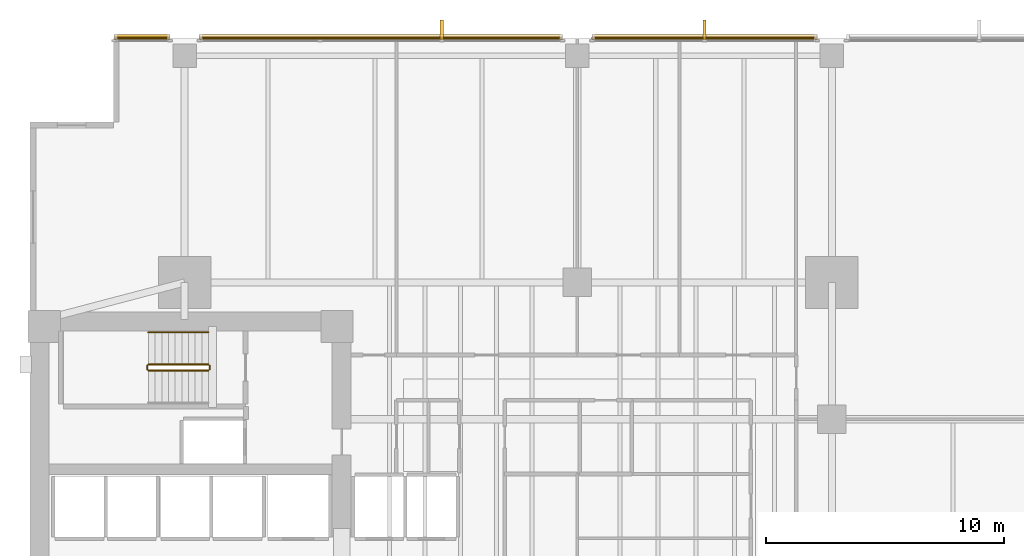
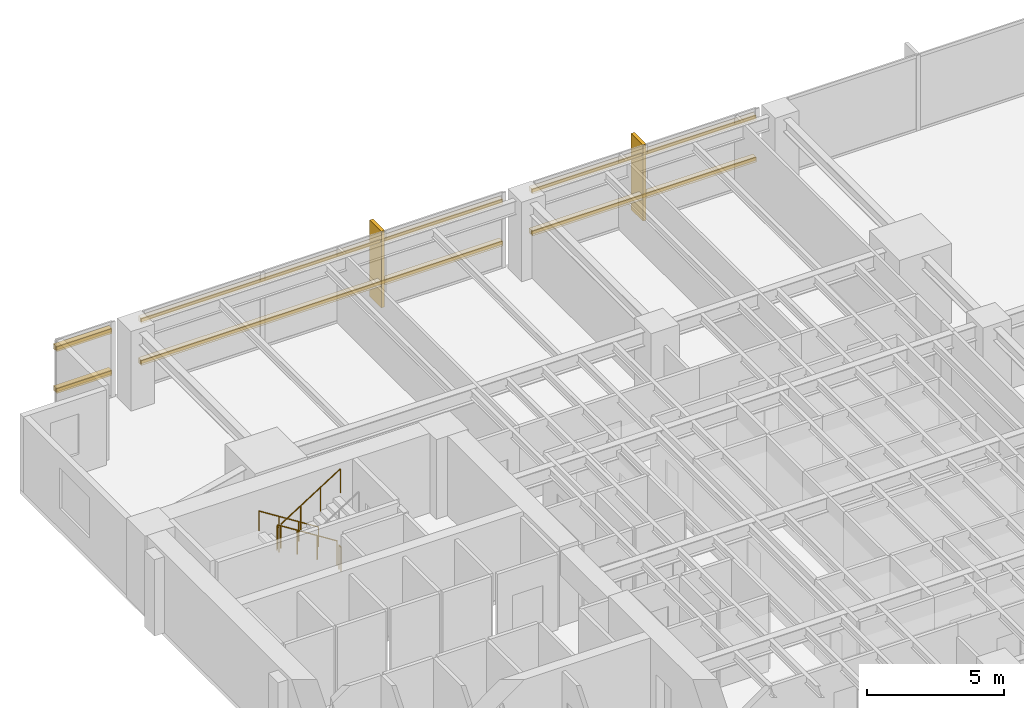
# One storey, part 14 of 15: 8 coverings, 6 shading devices, 5 railings.
"""IFC4 building model written with IfcOpenShell, lengths in metres."""

from ifc_helpers import new_model, si_unit, direction, frame, origin, origin_2d, place, context, subcontext, project, spatial, polyline, rectangle, circle, outline, extrude, material, layer, layer_set, material_profile, profile_set, type_object, element, save


model = new_model("IFC4")

# Units and contexts
model_context = context("Model", 3, precision=1e-05, world=origin(), true_north=direction((0.0, 1.0)))
body_context = subcontext(model_context, "Body", "Model", "MODEL_VIEW")
ifc_project = project(units=[si_unit("LENGTHUNIT", "METRE"), si_unit("AREAUNIT", "SQUARE_METRE"), si_unit("VOLUMEUNIT", "CUBIC_METRE"), si_unit("PLANEANGLEUNIT", "RADIAN"), si_unit("MASSUNIT", "GRAM", prefix="KILO")], contexts=[model_context])

# Site, building, storey
site_placement = place(None, origin())
site = spatial("IfcSite", under=ifc_project, at=site_placement, CompositionType="ELEMENT")
building_placement = place(site_placement, origin())
building = spatial("IfcBuilding", under=site, at=building_placement, Name="Kinhvarn Gate Tower", CompositionType="ELEMENT")
storey_placement = place(building_placement, frame((0.0, 0.0, 75.300048828125)))
storey = spatial("IfcBuildingStorey", under=building, at=storey_placement, Name="L19", CompositionType="ELEMENT", Elevation=75.300048828125)

# Coverings
ifc_material_1 = material(Name="Fired architectural terracotta", Category="masonry")
ifc_layer_1 = layer(ifc_material_1, 0.239990234375)
ifc_layer_set_1 = layer_set([ifc_layer_1], Name="Fired architectural terracotta")
covering_type_1 = type_object("IfcCoveringType", Name="COV-BAG-220", PredefinedType="CLADDING", material=ifc_layer_set_1)
for number, where, name in (
    (1, (0.0, 0.0, 0.93994140625), "Terracotta Horizontal Sunscreen Band TBG-220 (L19)"),
    (2, (0.0, 0.0, 2.81005859375), "Terracotta Horizontal Sunscreen Band TBG-220 (L19)"),
):
    element("IfcCovering", number, at=place(storey_placement, frame(where)), inside=storey, type_object=covering_type_1, Name=name, PredefinedType="CLADDING", context=body_context, shape_type="SweptSolid", body=[
        extrude(outline(polyline([(37.580078125, 47.93994140625), (28.1201171875, 47.93994140625), (28.1201171875, 48.179931640625), (37.580078125, 48.179931640625), (37.580078125, 47.93994140625)])), origin(), (0.0, 0.0, 1.0), 0.219970703125),
    ])
for number, where, name in (
    (3, (0.0, 0.0, 0.93994140625), "Terracotta Horizontal Sunscreen Band TBG-220 (L19)"),
    (4, (0.0, 0.0, 2.81005859375), "Terracotta Horizontal Sunscreen Band TBG-220 (L19)"),
):
    element("IfcCovering", number, at=place(storey_placement, frame(where)), inside=storey, type_object=covering_type_1, Name=name, PredefinedType="CLADDING", context=body_context, shape_type="SweptSolid", body=[
        extrude(outline(polyline([(26.8798828125, 47.93994140625), (11.6201171875, 47.93994140625), (11.6201171875, 48.179931640625), (26.8798828125, 48.179931640625), (26.8798828125, 47.93994140625)])), origin(), (0.0, 0.0, 1.0), 0.219970703125),
    ])
for number, where, name in (
    (5, (0.0, 0.0, 0.93994140625), "Terracotta Horizontal Sunscreen Band TBG-220 (L19)"),
    (6, (0.0, 0.0, 2.81005859375), "Terracotta Horizontal Sunscreen Band TBG-220 (L19)"),
):
    element("IfcCovering", number, at=place(storey_placement, frame(where)), inside=storey, type_object=covering_type_1, Name=name, PredefinedType="CLADDING", context=body_context, shape_type="SweptSolid", body=[
        extrude(outline(polyline([(10.3798828125, 47.93994140625), (8.0400390625, 47.93994140625), (8.0400390625, 48.179931640625), (10.3798828125, 48.179931640625), (10.3798828125, 47.93994140625)])), origin(), (0.0, 0.0, 1.0), 0.219970703125),
    ])
ifc_layer_2 = layer(ifc_material_1, 0.139892578125)
ifc_layer_set_2 = layer_set([ifc_layer_2], Name="Fired architectural terracotta")
covering_type_2 = type_object("IfcCoveringType", Name="COV-FIN-850", PredefinedType="CLADDING", material=ifc_layer_set_2)
covering_1_placement = place(storey_placement, frame((0.0, 0.0, -0.02001953125)))
element("IfcCovering", 7, at=covering_1_placement, inside=storey, type_object=covering_type_2, Name="Vertical Terracotta Expressive Fin TFN-850 (L19)", PredefinedType="CLADDING", context=body_context, shape_type="SweptSolid", body=[
    extrude(outline(polyline([(32.919921875, 47.929931640625), (32.780029296875, 47.929931640625), (32.780029296875, 48.780029296875), (32.919921875, 48.780029296875), (32.919921875, 47.929931640625)])), origin(), (0.0, 0.0, 1.0), 3.409912109375),
])
covering_2_placement = place(storey_placement, frame((0.0, 0.0, -0.02001953125)))
element("IfcCovering", 8, at=covering_2_placement, inside=storey, type_object=covering_type_2, Name="Vertical Terracotta Expressive Fin TFN-850 (L19)", PredefinedType="CLADDING", context=body_context, shape_type="SweptSolid", body=[
    extrude(outline(polyline([(21.876708984375, 47.929931640625), (21.73681640625, 47.929931640625), (21.73681640625, 48.780029296875), (21.876708984375, 48.780029296875), (21.876708984375, 47.929931640625)])), origin(), (0.0, 0.0, 1.0), 3.409912109375),
])

# Railings
ifc_material_2 = material(Name="Steel S355", Category="steel")
railing_type_1 = type_object("IfcRailingType", Name="RL-ST-GRD", PredefinedType="BALUSTRADE", material=ifc_material_2)
railing_1_placement = place(storey_placement, frame((12.0, 34.300048828125, 0.177490234375)))
element("IfcRailing", 9, at=railing_1_placement, inside=storey, type_object=railing_type_1, Name="L19 ST2 stair guard 1", PredefinedType="BALUSTRADE", context=body_context, shape_type="SweptSolid", body=[
    extrude(circle(Radius=0.02392578125, at=origin_2d()), frame((0.0, 0.0, 1.076171875), z_axis=(-0.84460694969, 0.0, 0.535386869969), x_axis=(0.0, -1.0, 0.0)), (0.0, 0.0, 1.0), 2.983642578125),
    extrude(circle(Radius=0.02099609375, at=origin_2d()), origin(), (0.0, 0.0, 1.0), 1.052001953125),
    extrude(circle(Radius=0.02099609375, at=origin_2d()), frame((-0.840087890625, 0.0, 0.532470703125)), (0.0, 0.0, 1.0), 1.052001953125),
    extrude(circle(Radius=0.02099609375, at=origin_2d()), frame((-1.679931640625, 0.0, 1.06494140625)), (0.0, 0.0, 1.0), 1.052001953125),
    extrude(circle(Radius=0.02099609375, at=origin_2d()), frame((-2.52001953125, 0.0, 1.597412109375)), (0.0, 0.0, 1.0), 1.052001953125),
])
railing_2_placement = place(storey_placement, frame((9.429931640625, 34.25, 1.77490234375)))
element("IfcRailing", 10, at=railing_2_placement, inside=storey, type_object=railing_type_1, Name="L19 ST2 stair guard 2", PredefinedType="BALUSTRADE", context=body_context, shape_type="SweptSolid", body=[
    extrude(circle(Radius=0.02392578125, at=origin_2d()), frame((0.0, 0.0, 1.076171875), z_axis=(0.0, -1.0, 0.0), x_axis=(1.0, 0.0, 0.0)), (0.0, 0.0, 1.0), 0.14990234375),
    extrude(circle(Radius=0.02099609375, at=origin_2d()), origin(), (0.0, 0.0, 1.0), 1.052001953125),
    extrude(circle(Radius=0.02099609375, at=origin_2d()), frame((0.0, -0.14990234375, 0.0)), (0.0, 0.0, 1.0), 1.052001953125),
])
railing_3_placement = place(storey_placement, frame((9.47998046875, 34.050048828125, 1.952392578125)))
element("IfcRailing", 11, at=railing_3_placement, inside=storey, type_object=railing_type_1, Name="L19 ST2 stair guard 3", PredefinedType="BALUSTRADE", context=body_context, shape_type="SweptSolid", body=[
    extrude(circle(Radius=0.02392578125, at=origin_2d()), frame((0.0, 0.0, 1.076171875), z_axis=(0.84456994832, 0.0, 0.535445237532), x_axis=(0.0, 1.0, 0.0)), (0.0, 0.0, 1.0), 2.98388671875),
    extrude(circle(Radius=0.02099609375, at=origin_2d()), origin(), (0.0, 0.0, 1.0), 1.052001953125),
    extrude(circle(Radius=0.02099609375, at=origin_2d()), frame((0.840087890625, 0.0, 0.532470703125)), (0.0, 0.0, 1.0), 1.052001953125),
    extrude(circle(Radius=0.02099609375, at=origin_2d()), frame((1.679931640625, 0.0, 1.065185546875)), (0.0, 0.0, 1.0), 1.052001953125),
    extrude(circle(Radius=0.02099609375, at=origin_2d()), frame((2.52001953125, 0.0, 1.59765625)), (0.0, 0.0, 1.0), 1.052001953125),
])
railing_4_placement = place(storey_placement, frame((12.050048828125, 34.25, 0.0)))
element("IfcRailing", 12, at=railing_4_placement, inside=storey, type_object=railing_type_1, Name="L19 ST2 stair guard 4", PredefinedType="BALUSTRADE", context=body_context, shape_type="SweptSolid", body=[
    extrude(circle(Radius=0.02392578125, at=origin_2d()), frame((0.0, 0.0, 1.076171875), z_axis=(0.0, -1.0, 0.0), x_axis=(1.0, 0.0, 0.0)), (0.0, 0.0, 1.0), 0.14990234375),
    extrude(circle(Radius=0.02099609375, at=origin_2d()), origin(), (0.0, 0.0, 1.0), 1.052001953125),
    extrude(circle(Radius=0.02099609375, at=origin_2d()), frame((0.0, -0.14990234375, 0.0)), (0.0, 0.0, 1.0), 1.052001953125),
])
railing_type_2 = type_object("IfcRailingType", Name="RL-ST-HND", PredefinedType="HANDRAIL", material=ifc_material_2)
railing_5_placement = place(storey_placement, frame((12.0, 35.64990234375, 0.177490234375)))
element("IfcRailing", 13, at=railing_5_placement, inside=storey, type_object=railing_type_2, Name="L19 ST2 stair handrail 1", PredefinedType="HANDRAIL", context=body_context, shape_type="SweptSolid", body=[
    extrude(circle(Radius=0.02392578125, at=origin_2d()), frame((0.0, 0.0, 0.8759765625), z_axis=(-0.84460694969, 0.0, 0.535386869969), x_axis=(0.0, -1.0, 0.0)), (0.0, 0.0, 1.0), 2.983642578125),
    extrude(circle(Radius=0.02099609375, at=origin_2d()), origin(), (0.0, 0.0, 1.0), 0.851806640625),
    extrude(circle(Radius=0.02099609375, at=origin_2d()), frame((-0.840087890625, 0.0, 0.532470703125)), (0.0, 0.0, 1.0), 0.851806640625),
    extrude(circle(Radius=0.02099609375, at=origin_2d()), frame((-1.679931640625, 0.0, 1.06494140625)), (0.0, 0.0, 1.0), 0.851806640625),
    extrude(circle(Radius=0.02099609375, at=origin_2d()), frame((-2.52001953125, 0.0, 1.597412109375)), (0.0, 0.0, 1.0), 0.851806640625),
])

# Shading devices
ifc_material_profile = material_profile(ifc_material_1, rectangle(XDim=0.06005859375, YDim=0.139892578125, at=origin_2d()), Name="TC 60x140")
ifc_profile_set = profile_set([ifc_material_profile], Name="Fired architectural terracotta")
shading_device_type = type_object("IfcShadingDeviceType", Name="SHD-BAG-180", PredefinedType="USERDEFINED", material=ifc_profile_set)
for number, where, z_axis, x_axis, name in (
    (14, (37.580078125, 48.014892578125, 1.050048828125), (-1.0, 0.0, 0.0), (0.0, -1.0, 0.0), "Fired Terracotta Baguette Screen Rod 60x140 mm (L19)"),
    (15, (37.580078125, 48.014892578125, 2.919921875), (-1.0, 0.0, 0.0), (0.0, -1.0, 0.0), "Fired Terracotta Baguette Screen Rod 60x140 mm (L19)"),
):
    element("IfcShadingDevice", number, at=place(storey_placement, frame(where, z_axis=z_axis, x_axis=x_axis)), inside=storey, type_object=shading_device_type, Name=name, ObjectType="BAGUETTE", PredefinedType="USERDEFINED", context=body_context, shape_type="SweptSolid", body=[
        extrude(rectangle(XDim=0.06005859375, YDim=0.139892578125, at=origin_2d()), origin(), (0.0, 0.0, 1.0), 9.4599609375),
    ])
for number, where, z_axis, x_axis, name in (
    (16, (26.8798828125, 48.014892578125, 1.050048828125), (-1.0, 0.0, 0.0), (0.0, -1.0, 0.0), "Fired Terracotta Baguette Screen Rod 60x140 mm (L19)"),
    (17, (26.8798828125, 48.014892578125, 2.919921875), (-1.0, 0.0, 0.0), (0.0, -1.0, 0.0), "Fired Terracotta Baguette Screen Rod 60x140 mm (L19)"),
):
    element("IfcShadingDevice", number, at=place(storey_placement, frame(where, z_axis=z_axis, x_axis=x_axis)), inside=storey, type_object=shading_device_type, Name=name, ObjectType="BAGUETTE", PredefinedType="USERDEFINED", context=body_context, shape_type="SweptSolid", body=[
        extrude(rectangle(XDim=0.06005859375, YDim=0.139892578125, at=origin_2d()), origin(), (0.0, 0.0, 1.0), 15.259765625),
    ])
for number, where, z_axis, x_axis, name in (
    (18, (10.3798828125, 48.014892578125, 1.050048828125), (-1.0, 0.0, 0.0), (0.0, -1.0, 0.0), "Fired Terracotta Baguette Screen Rod 60x140 mm (L19)"),
    (19, (10.3798828125, 48.014892578125, 2.919921875), (-1.0, 0.0, 0.0), (0.0, -1.0, 0.0), "Fired Terracotta Baguette Screen Rod 60x140 mm (L19)"),
):
    element("IfcShadingDevice", number, at=place(storey_placement, frame(where, z_axis=z_axis, x_axis=x_axis)), inside=storey, type_object=shading_device_type, Name=name, ObjectType="BAGUETTE", PredefinedType="USERDEFINED", context=body_context, shape_type="SweptSolid", body=[
        extrude(rectangle(XDim=0.06005859375, YDim=0.139892578125, at=origin_2d()), origin(), (0.0, 0.0, 1.0), 2.33984375),
    ])

save(model, "model.ifc")
